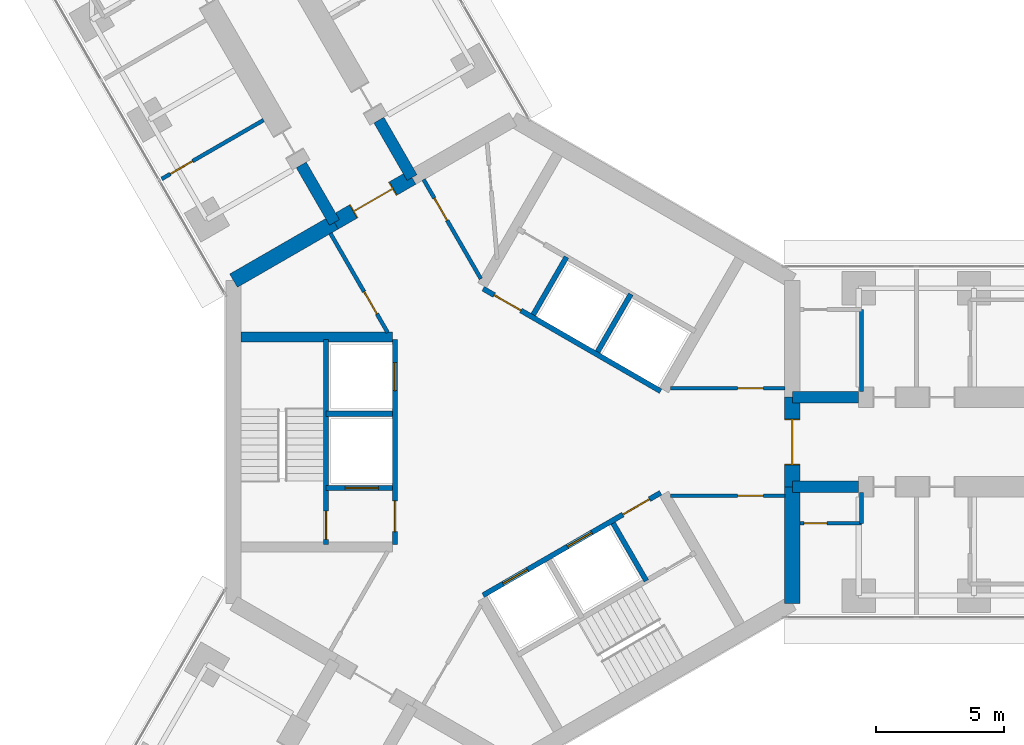
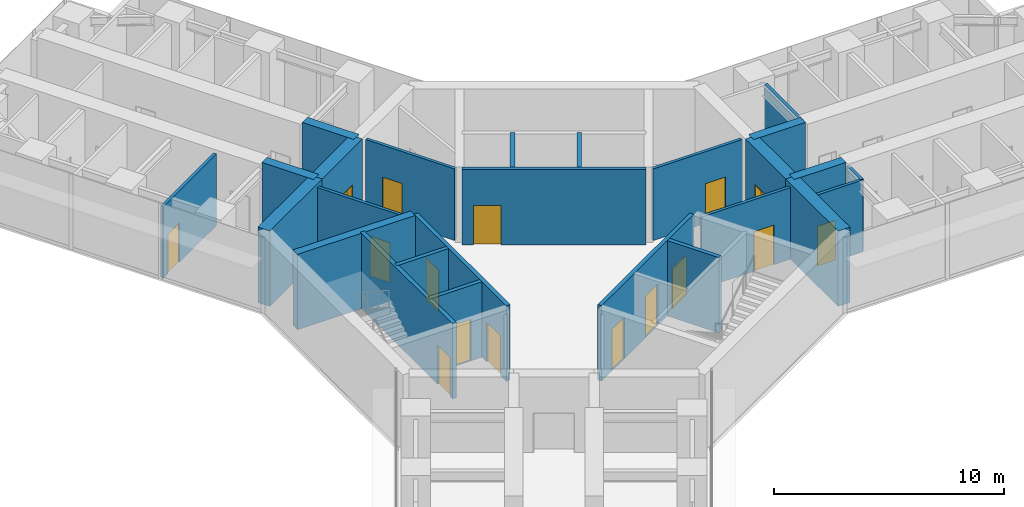
# One storey, part 16 of 22: 26 walls, 16 doors, 16 openings.
"""IFC4 building model written with IfcOpenShell, lengths in metres."""

from ifc_helpers import new_model, si_unit, direction, frame, frame_2d, origin, place, context, subcontext, project, spatial, rectangle, extrude, material, layer, layer_set, type_object, element, fill, save


model = new_model("IFC4")

# Units and contexts
model_context = context("Model", 3, precision=1e-05, world=origin(), true_north=direction((0.0, 1.0)))
body_context = subcontext(model_context, "Body", "Model", "MODEL_VIEW")
ifc_project = project(units=[si_unit("LENGTHUNIT", "METRE"), si_unit("AREAUNIT", "SQUARE_METRE"), si_unit("VOLUMEUNIT", "CUBIC_METRE"), si_unit("PLANEANGLEUNIT", "RADIAN"), si_unit("MASSUNIT", "GRAM", prefix="KILO")], contexts=[model_context])

# Site, building, storey
site_placement = place(None, origin())
site = spatial("IfcSite", under=ifc_project, at=site_placement, CompositionType="ELEMENT")
building_placement = place(site_placement, origin())
building = spatial("IfcBuilding", under=site, at=building_placement, Name="Upepo Twin Towers", CompositionType="ELEMENT")
storey_placement = place(building_placement, frame((0.0, 0.0, 141.5)))
storey = spatial("IfcBuildingStorey", under=building, at=storey_placement, Name="L34", CompositionType="ELEMENT", Elevation=141.5)

# Walls
ifc_material_1 = material(Name="Concrete C60/75", Category="concrete")
ifc_layer_1 = layer(ifc_material_1, 0.449951171875)
ifc_layer_set_1 = layer_set([ifc_layer_1], Name="Concrete C60/75")
wall_type_1 = type_object("IfcWallType", Name="Buttress wall 450 RC", PredefinedType="SHEAR", material=ifc_layer_set_1)
for number, where, z_axis, x_axis, name in (
    (1, (10.908447265625, 1.75, 0.0), (0.0, 0.0, 1.0), (1.0, 0.0, 0.0), "T1 wing A buttress wall L"),
    (2, (10.908447265625, -1.75, 0.0), (0.0, 0.0, 1.0), (1.0, 0.0, 0.0), "T1 wing A buttress wall R"),
):
    element("IfcWall", number, at=place(storey_placement, frame(where, z_axis=z_axis, x_axis=x_axis)), inside=storey, type_object=wall_type_1, Name=name, PredefinedType="SHEAR", context=body_context, shape_type="SweptSolid", body=[
        extrude(rectangle(XDim=2.591552734375, YDim=0.449951171875, at=frame_2d((1.2958984375, 0.0))), origin(), (0.0, 0.0, 1.0), 4.0),
    ])
for number, where, z_axis, x_axis, name in (
    (3, (-6.9697265625, 8.57177734375, 0.0), (0.0, 0.0, 1.0), (-0.499988811324, 0.866031863473, 0.0), "T1 wing B buttress wall L"),
    (4, (-3.938720703125, 10.32177734375, 0.0), (0.0, 0.0, 1.0), (-0.499918158782, 0.866072649678, 0.0), "T1 wing B buttress wall R"),
):
    element("IfcWall", number, at=place(storey_placement, frame(where, z_axis=z_axis, x_axis=x_axis)), inside=storey, type_object=wall_type_1, Name=name, PredefinedType="SHEAR", context=body_context, shape_type="SweptSolid", body=[
        extrude(rectangle(XDim=2.591796875, YDim=0.449951171875, at=frame_2d((1.2958984375, 0.0))), origin(), (0.0, 0.0, 1.0), 4.0),
    ])
ifc_material_2 = material(Name="Concrete C60/75", Category="concrete")
ifc_layer_2 = layer(ifc_material_2, 0.60009765625)
ifc_layer_set_2 = layer_set([ifc_layer_2], Name="Concrete C60/75")
wall_type_2 = type_object("IfcWallType", Name="Core wall 600 RC", PredefinedType="SHEAR", material=ifc_layer_set_2)
wall_1_placement = place(storey_placement, frame((10.908447265625, -6.2978515625, 0.0), z_axis=(0.0, 0.0, 1.0), x_axis=(0.0, 1.0, 0.0)))
element("IfcWall", 5, at=wall_1_placement, inside=storey, type_object=wall_type_2, Name="T1 core wall 000 R", PredefinedType="SHEAR", context=body_context, shape_type="SweptSolid", body=[
    extrude(rectangle(XDim=4.5478515625, YDim=0.60009765625, at=frame_2d((2.27392578125, 0.0))), origin(), (0.0, 0.0, 1.0), 4.0),
])

# Wall, opening, door
wall_2_placement = place(storey_placement, frame((10.908447265625, -1.75, 0.0), z_axis=(0.0, 0.0, 1.0), x_axis=(0.0, 1.0, 0.0)))
wall_2 = element("IfcWall", 6, at=wall_2_placement, inside=storey, type_object=wall_type_2, Name="T1 core wall 000", PredefinedType="SHEAR", context=body_context, shape_type="SweptSolid", body=[
    extrude(rectangle(XDim=3.5, YDim=0.60009765625, at=frame_2d((1.75, 0.0))), origin(), (0.0, 0.0, 1.0), 4.0),
])
opening_1_placement = place(wall_2_placement, frame((0.85009765625, 0.0, 0.0)))
opening_1 = element("IfcOpeningElement", 7, at=opening_1_placement, cuts=wall_2, Name="Opening D2", PredefinedType="OPENING", context=body_context, shape_type="SweptSolid", body=[
    extrude(rectangle(XDim=1.800048828125, YDim=2.10009765625, at=frame_2d((0.89990234375, 1.050048828125))), frame((0.0, 0.31005859375, 0.0), z_axis=(0.0, -1.0, 0.0), x_axis=(1.0, 0.0, 0.0)), (0.0, 0.0, 1.0), 0.6201171875),
])
ifc_material_3 = material(Name="Timber doorset", Category="wood")
door_type_1 = type_object("IfcDoorType", Name="Corridor double door 1800 FD60", OperationType="DOUBLE_DOOR_DOUBLE_SWING", PredefinedType="DOOR", material=ifc_material_3)
door_1_placement = place(opening_1_placement, origin())
door_1 = element("IfcDoor", 8, at=door_1_placement, inside=storey, type_object=door_type_1, Name="T1 L34 wing A corridor door", OperationType="DOUBLE_DOOR_DOUBLE_SWING", OverallHeight=2.10009765625, OverallWidth=1.800048828125, PredefinedType="DOOR", context=body_context, shape_type="SweptSolid", body=[
    extrude(rectangle(XDim=1.720048828125, YDim=2.06009765625, at=frame_2d((0.89990234375, 1.030029296875))), frame((0.0, 0.02490234375, 0.0), z_axis=(0.0, -1.0, 0.0), x_axis=(1.0, 0.0, 0.0)), (0.0, 0.0, 1.0), 0.050048828125),
    extrude(rectangle(XDim=0.04, YDim=2.10009765625, at=frame_2d((0.02001953125, 1.050048828125))), frame((0.0, 0.2998046875, 0.0), z_axis=(0.0, -1.0, 0.0), x_axis=(1.0, 0.0, 0.0)), (0.0, 0.0, 1.0), 0.599609375),
    extrude(rectangle(XDim=0.04, YDim=2.10009765625, at=frame_2d((1.780029296875, 1.050048828125))), frame((0.0, 0.2998046875, 0.0), z_axis=(0.0, -1.0, 0.0), x_axis=(1.0, 0.0, 0.0)), (0.0, 0.0, 1.0), 0.599609375),
    extrude(rectangle(XDim=1.720048828125, YDim=0.04, at=frame_2d((0.89990234375, 2.080078125))), frame((0.0, 0.2998046875, 0.0), z_axis=(0.0, -1.0, 0.0), x_axis=(1.0, 0.0, 0.0)), (0.0, 0.0, 1.0), 0.599609375),
])
fill(opening_1, door_1)

wall_3_placement = place(storey_placement, frame((-3.938720703125, 10.32177734375, 0.0), z_axis=(0.0, 0.0, 1.0), x_axis=(-0.866019471182, -0.500010275428, 0.0)))
wall_3 = element("IfcWall", 9, at=wall_3_placement, inside=storey, type_object=wall_type_2, Name="T1 core wall 120", PredefinedType="SHEAR", context=body_context, shape_type="SweptSolid", body=[
    extrude(rectangle(XDim=3.5, YDim=0.60009765625, at=frame_2d((1.75, 0.0))), origin(), (0.0, 0.0, 1.0), 4.0),
])
opening_2_placement = place(wall_3_placement, frame((0.85009765625, 0.0, 0.0)))
opening_2 = element("IfcOpeningElement", 10, at=opening_2_placement, cuts=wall_3, Name="Opening D2", PredefinedType="OPENING", context=body_context, shape_type="SweptSolid", body=[
    extrude(rectangle(XDim=1.800048828125, YDim=2.10009765625, at=frame_2d((0.89990234375, 1.050048828125))), frame((0.0, 0.31005859375, 0.0), z_axis=(0.0, -1.0, 0.0), x_axis=(1.0, 0.0, 0.0)), (0.0, 0.0, 1.0), 0.6201171875),
])
door_2_placement = place(opening_2_placement, origin())
door_2 = element("IfcDoor", 11, at=door_2_placement, inside=storey, type_object=door_type_1, Name="T1 L34 wing B corridor door", OperationType="DOUBLE_DOOR_DOUBLE_SWING", OverallHeight=2.10009765625, OverallWidth=1.800048828125, PredefinedType="DOOR", context=body_context, shape_type="SweptSolid", body=[
    extrude(rectangle(XDim=1.720048828125, YDim=2.06009765625, at=frame_2d((0.89990234375, 1.030029296875))), frame((0.0, 0.02490234375, 0.0), z_axis=(0.0, -1.0, 0.0), x_axis=(1.0, 0.0, 0.0)), (0.0, 0.0, 1.0), 0.050048828125),
    extrude(rectangle(XDim=0.04, YDim=2.10009765625, at=frame_2d((0.02001953125, 1.050048828125))), frame((0.0, 0.2998046875, 0.0), z_axis=(0.0, -1.0, 0.0), x_axis=(1.0, 0.0, 0.0)), (0.0, 0.0, 1.0), 0.599609375),
    extrude(rectangle(XDim=0.04, YDim=2.10009765625, at=frame_2d((1.780029296875, 1.050048828125))), frame((0.0, 0.2998046875, 0.0), z_axis=(0.0, -1.0, 0.0), x_axis=(1.0, 0.0, 0.0)), (0.0, 0.0, 1.0), 0.599609375),
    extrude(rectangle(XDim=1.720048828125, YDim=0.04, at=frame_2d((0.89990234375, 2.080078125))), frame((0.0, 0.2998046875, 0.0), z_axis=(0.0, -1.0, 0.0), x_axis=(1.0, 0.0, 0.0)), (0.0, 0.0, 1.0), 0.599609375),
])
fill(opening_2, door_2)

# Wall
wall_4_placement = place(storey_placement, frame((-6.9697265625, 8.57177734375, 0.0), z_axis=(0.0, 0.0, 1.0), x_axis=(-0.866034513004, -0.499984222037, 0.0)))
element("IfcWall", 12, at=wall_4_placement, inside=storey, type_object=wall_type_2, Name="T1 core wall 120 L", PredefinedType="SHEAR", context=body_context, shape_type="SweptSolid", body=[
    extrude(rectangle(XDim=4.548095703125, YDim=0.60009765625, at=frame_2d((2.27392578125, 0.0))), origin(), (0.0, 0.0, 1.0), 4.0),
])

# Wall, opening, door
ifc_material_4 = material(Name="Concrete C40/50", Category="concrete")
ifc_layer_3 = layer(ifc_material_4, 0.199951171875)
ifc_layer_set_3 = layer_set([ifc_layer_3], Name="Concrete C40/50")
wall_type_3 = type_object("IfcWallType", Name="Shaft wall 200 RC", PredefinedType="SHEAR", material=ifc_layer_set_3)
wall_5_placement = place(storey_placement, frame((5.76416015625, 1.983642578125, 0.0), z_axis=(0.0, 0.0, 1.0), x_axis=(-0.866026010844, 0.49999894854, 0.0)))
wall_5 = element("IfcWall", 13, at=wall_5_placement, inside=storey, type_object=wall_type_3, Name="T1 core W60 front wall", PredefinedType="SHEAR", context=body_context, shape_type="SweptSolid", body=[
    extrude(rectangle(XDim=8.0, YDim=0.199951171875, at=frame_2d((4.0, 0.0))), origin(), (0.0, 0.0, 1.0), 4.0),
])
opening_3_placement = place(wall_5_placement, frame((6.300048828125, 0.0, 0.0)))
opening_3 = element("IfcOpeningElement", 14, at=opening_3_placement, cuts=wall_5, Name="Opening D4", PredefinedType="OPENING", context=body_context, shape_type="SweptSolid", body=[
    extrude(rectangle(XDim=1.199951171875, YDim=2.10009765625, at=frame_2d((0.60009765625, 1.050048828125))), frame((0.0, 0.10986328125, 0.0), z_axis=(0.0, -1.0, 0.0), x_axis=(1.0, 0.0, 0.0)), (0.0, 0.0, 1.0), 0.219970703125),
])
ifc_material_5 = material(Name="Timber doorset", Category="wood")
door_type_2 = type_object("IfcDoorType", Name="Lobby door 1200 FD60", OperationType="SINGLE_SWING_LEFT", PredefinedType="DOOR", material=ifc_material_5)
door_3_placement = place(opening_3_placement, origin())
door_3 = element("IfcDoor", 15, at=door_3_placement, inside=storey, type_object=door_type_2, Name="T1 L34 W60 lobby door", OperationType="SINGLE_SWING_RIGHT", OverallHeight=2.10009765625, OverallWidth=1.199951171875, PredefinedType="DOOR", context=body_context, shape_type="SweptSolid", body=[
    extrude(rectangle(XDim=1.199951171875, YDim=2.10009765625, at=frame_2d((0.60009765625, 1.050048828125))), frame((0.0, 0.02490234375, 0.0), z_axis=(0.0, -1.0, 0.0), x_axis=(1.0, 0.0, 0.0)), (0.0, 0.0, 1.0), 0.050048828125),
])
fill(opening_3, door_3)

# Walls
for number, where, z_axis, x_axis, name in (
    (16, (3.302734375, 3.520263671875, 0.0), (0.0, 0.0, 1.0), (0.499936506574, 0.866062058628, 0.0), "T1 core W60 shaft divider"),
    (17, (0.791259765625, 4.97021484375, 0.0), (0.0, 0.0, 1.0), (0.499936506574, 0.866062058628, 0.0), "T1 core W60 lobby wall"),
):
    element("IfcWall", number, at=place(storey_placement, frame(where, z_axis=z_axis, x_axis=x_axis)), inside=storey, type_object=wall_type_3, Name=name, PredefinedType="SHEAR", context=body_context, shape_type="SweptSolid", body=[
        extrude(rectangle(XDim=2.599853515625, YDim=0.199951171875, at=frame_2d((1.2998046875, 0.0))), origin(), (0.0, 0.0, 1.0), 4.0),
    ])

# Wall, openings, doors
wall_6_placement = place(storey_placement, frame((-4.60009765625, 4.0, 0.0), z_axis=(0.0, 0.0, 1.0), x_axis=(0.0, -1.0, 0.0)))
wall_6 = element("IfcWall", 18, at=wall_6_placement, inside=storey, type_object=wall_type_3, Name="T1 core W180 front wall", PredefinedType="SHEAR", context=body_context, shape_type="SweptSolid", body=[
    extrude(rectangle(XDim=8.0, YDim=0.199951171875, at=frame_2d((4.0, 0.0))), origin(), (0.0, 0.0, 1.0), 4.0),
])
opening_4_placement = place(wall_6_placement, frame((6.300048828125, 0.0, 0.0)))
opening_4 = element("IfcOpeningElement", 19, at=opening_4_placement, cuts=wall_6, Name="Opening D4", PredefinedType="OPENING", context=body_context, shape_type="SweptSolid", body=[
    extrude(rectangle(XDim=1.199951171875, YDim=2.10009765625, at=frame_2d((0.60009765625, 1.050048828125))), frame((0.0, 0.10986328125, 0.0), z_axis=(0.0, -1.0, 0.0), x_axis=(1.0, 0.0, 0.0)), (0.0, 0.0, 1.0), 0.219970703125),
])
opening_5_placement = place(wall_6_placement, frame((0.89990234375, 0.0, 0.0)))
opening_5 = element("IfcOpeningElement", 20, at=opening_5_placement, cuts=wall_6, Name="Opening LD1", PredefinedType="OPENING", context=body_context, shape_type="SweptSolid", body=[
    extrude(rectangle(XDim=1.10009765625, YDim=2.199951171875, at=frame_2d((0.550048828125, 1.10009765625))), frame((0.0, 0.10986328125, 0.0), z_axis=(0.0, -1.0, 0.0), x_axis=(1.0, 0.0, 0.0)), (0.0, 0.0, 1.0), 0.219970703125),
])
ifc_material_6 = material(Name="Steel doorset", Category="steel")
door_type_3 = type_object("IfcDoorType", Name="Lift landing door 1100", OperationType="DOUBLE_DOOR_SLIDING", PredefinedType="DOOR", material=ifc_material_6)
door_4_placement = place(opening_5_placement, origin())
door_4 = element("IfcDoor", 21, at=door_4_placement, inside=storey, type_object=door_type_3, Name="T1 L34 lift SV1 landing door", OperationType="DOUBLE_DOOR_SLIDING", OverallHeight=2.199951171875, OverallWidth=1.10009765625, PredefinedType="DOOR", context=body_context, shape_type="SweptSolid", body=[
    extrude(rectangle(XDim=1.10009765625, YDim=2.199951171875, at=frame_2d((0.550048828125, 1.10009765625))), frame((0.0, 0.02490234375, 0.0), z_axis=(0.0, -1.0, 0.0), x_axis=(1.0, 0.0, 0.0)), (0.0, 0.0, 1.0), 0.050048828125),
])
fill(opening_5, door_4)
door_5_placement = place(opening_4_placement, origin())
door_5 = element("IfcDoor", 22, at=door_5_placement, inside=storey, type_object=door_type_2, Name="T1 L34 W180 lobby door", OperationType="SINGLE_SWING_RIGHT", OverallHeight=2.10009765625, OverallWidth=1.199951171875, PredefinedType="DOOR", context=body_context, shape_type="SweptSolid", body=[
    extrude(rectangle(XDim=1.199951171875, YDim=2.10009765625, at=frame_2d((0.60009765625, 1.050048828125))), frame((0.0, 0.02490234375, 0.0), z_axis=(0.0, -1.0, 0.0), x_axis=(1.0, 0.0, 0.0)), (0.0, 0.0, 1.0), 0.050048828125),
])
fill(opening_4, door_5)

# Wall
wall_7_placement = place(storey_placement, frame((-4.699951171875, 1.10009765625, 0.0), z_axis=(0.0, 0.0, 1.0), x_axis=(-1.0, 0.0, 0.0)))
element("IfcWall", 23, at=wall_7_placement, inside=storey, type_object=wall_type_3, Name="T1 core W180 shaft divider", PredefinedType="SHEAR", context=body_context, shape_type="SweptSolid", body=[
    extrude(rectangle(XDim=2.60009765625, YDim=0.199951171875, at=frame_2d((1.300048828125, 0.0))), origin(), (0.0, 0.0, 1.0), 4.0),
])

# Wall, opening, door
wall_8_placement = place(storey_placement, frame((-4.699951171875, -1.800048828125, 0.0), z_axis=(0.0, 0.0, 1.0), x_axis=(-1.0, 0.0, 0.0)))
wall_8 = element("IfcWall", 24, at=wall_8_placement, inside=storey, type_object=wall_type_3, Name="T1 core W180 lobby wall", PredefinedType="SHEAR", context=body_context, shape_type="SweptSolid", body=[
    extrude(rectangle(XDim=2.60009765625, YDim=0.199951171875, at=frame_2d((1.300048828125, 0.0))), origin(), (0.0, 0.0, 1.0), 4.0),
])
opening_6_placement = place(wall_8_placement, frame((0.550048828125, 0.0, 0.0)))
opening_6 = element("IfcOpeningElement", 25, at=opening_6_placement, cuts=wall_8, Name="Opening LD2", PredefinedType="OPENING", context=body_context, shape_type="SweptSolid", body=[
    extrude(rectangle(XDim=1.300048828125, YDim=2.199951171875, at=frame_2d((0.64990234375, 1.10009765625))), frame((0.0, 0.10986328125, 0.0), z_axis=(0.0, -1.0, 0.0), x_axis=(1.0, 0.0, 0.0)), (0.0, 0.0, 1.0), 0.219970703125),
])
ifc_material_7 = material(Name="Steel doorset", Category="steel")
door_type_4 = type_object("IfcDoorType", Name="Firefighting lift landing door 1300", OperationType="DOUBLE_DOOR_SLIDING", PredefinedType="DOOR", material=ifc_material_7)
door_6_placement = place(opening_6_placement, origin())
door_6 = element("IfcDoor", 26, at=door_6_placement, inside=storey, type_object=door_type_4, Name="T1 L34 firefighting lift landing door", OperationType="DOUBLE_DOOR_SLIDING", OverallHeight=2.199951171875, OverallWidth=1.300048828125, PredefinedType="DOOR", context=body_context, shape_type="SweptSolid", body=[
    extrude(rectangle(XDim=1.300048828125, YDim=2.199951171875, at=frame_2d((0.64990234375, 1.10009765625))), frame((0.0, 0.02490234375, 0.0), z_axis=(0.0, -1.0, 0.0), x_axis=(1.0, 0.0, 0.0)), (0.0, 0.0, 1.0), 0.050048828125),
])
fill(opening_6, door_6)

wall_9_placement = place(storey_placement, frame((-7.300048828125, 4.0, 0.0), z_axis=(0.0, 0.0, 1.0), x_axis=(0.0, -1.0, 0.0)))
wall_9 = element("IfcWall", 27, at=wall_9_placement, inside=storey, type_object=wall_type_3, Name="T1 core W180 stair wall", PredefinedType="SHEAR", context=body_context, shape_type="SweptSolid", body=[
    extrude(rectangle(XDim=8.0, YDim=0.199951171875, at=frame_2d((4.0, 0.0))), origin(), (0.0, 0.0, 1.0), 4.0),
])
opening_7_placement = place(wall_9_placement, frame((6.699951171875, 0.0, 0.0)))
opening_7 = element("IfcOpeningElement", 28, at=opening_7_placement, cuts=wall_9, Name="Opening D3", PredefinedType="OPENING", context=body_context, shape_type="SweptSolid", body=[
    extrude(rectangle(XDim=1.10009765625, YDim=2.10009765625, at=frame_2d((0.550048828125, 1.050048828125))), frame((0.0, 0.10986328125, 0.0), z_axis=(0.0, -1.0, 0.0), x_axis=(1.0, 0.0, 0.0)), (0.0, 0.0, 1.0), 0.219970703125),
])
ifc_material_8 = material(Name="Timber doorset", Category="wood")
door_type_5 = type_object("IfcDoorType", Name="Stair door 1100 FD60", OperationType="SINGLE_SWING_LEFT", PredefinedType="DOOR", material=ifc_material_8)
door_7_placement = place(opening_7_placement, origin())
door_7 = element("IfcDoor", 29, at=door_7_placement, inside=storey, type_object=door_type_5, Name="T1 L34 stair door", OperationType="SINGLE_SWING_RIGHT", OverallHeight=2.10009765625, OverallWidth=1.10009765625, PredefinedType="DOOR", context=body_context, shape_type="SweptSolid", body=[
    extrude(rectangle(XDim=1.10009765625, YDim=2.10009765625, at=frame_2d((0.550048828125, 1.050048828125))), frame((0.0, 0.02490234375, 0.0), z_axis=(0.0, -1.0, 0.0), x_axis=(1.0, 0.0, 0.0)), (0.0, 0.0, 1.0), 0.050048828125),
])
fill(opening_7, door_7)

# Wall, openings, doors
wall_10_placement = place(storey_placement, frame((-1.1640625, -5.983642578125, 0.0), z_axis=(0.0, 0.0, 1.0), x_axis=(0.866026010844, 0.49999894854, 0.0)))
wall_10 = element("IfcWall", 30, at=wall_10_placement, inside=storey, type_object=wall_type_3, Name="T1 core W300 front wall", PredefinedType="SHEAR", context=body_context, shape_type="SweptSolid", body=[
    extrude(rectangle(XDim=8.0, YDim=0.199951171875, at=frame_2d((4.0, 0.0))), origin(), (0.0, 0.0, 1.0), 4.0),
])
opening_8_placement = place(wall_10_placement, frame((6.300048828125, 0.0, 0.0)))
opening_8 = element("IfcOpeningElement", 31, at=opening_8_placement, cuts=wall_10, Name="Opening D4", PredefinedType="OPENING", context=body_context, shape_type="SweptSolid", body=[
    extrude(rectangle(XDim=1.199951171875, YDim=2.10009765625, at=frame_2d((0.60009765625, 1.050048828125))), frame((0.0, 0.10986328125, 0.0), z_axis=(0.0, -1.0, 0.0), x_axis=(1.0, 0.0, 0.0)), (0.0, 0.0, 1.0), 0.219970703125),
])
opening_9_placement = place(wall_10_placement, frame((0.89990234375, 0.0, 0.0)))
opening_9 = element("IfcOpeningElement", 32, at=opening_9_placement, cuts=wall_10, Name="Opening LD1", PredefinedType="OPENING", context=body_context, shape_type="SweptSolid", body=[
    extrude(rectangle(XDim=1.10009765625, YDim=2.199951171875, at=frame_2d((0.550048828125, 1.10009765625))), frame((0.0, 0.10986328125, 0.0), z_axis=(0.0, -1.0, 0.0), x_axis=(1.0, 0.0, 0.0)), (0.0, 0.0, 1.0), 0.219970703125),
])
opening_10_placement = place(wall_10_placement, frame((3.800048828125, 0.0, 0.0)))
opening_10 = element("IfcOpeningElement", 33, at=opening_10_placement, cuts=wall_10, Name="Opening LD1", PredefinedType="OPENING", context=body_context, shape_type="SweptSolid", body=[
    extrude(rectangle(XDim=1.10009765625, YDim=2.199951171875, at=frame_2d((0.550048828125, 1.10009765625))), frame((0.0, 0.10986328125, 0.0), z_axis=(0.0, -1.0, 0.0), x_axis=(1.0, 0.0, 0.0)), (0.0, 0.0, 1.0), 0.219970703125),
])
door_8_placement = place(opening_9_placement, origin())
door_8 = element("IfcDoor", 34, at=door_8_placement, inside=storey, type_object=door_type_3, Name="T1 L34 lift ML1 landing door", OperationType="DOUBLE_DOOR_SLIDING", OverallHeight=2.199951171875, OverallWidth=1.10009765625, PredefinedType="DOOR", context=body_context, shape_type="SweptSolid", body=[
    extrude(rectangle(XDim=1.10009765625, YDim=2.199951171875, at=frame_2d((0.550048828125, 1.10009765625))), frame((0.0, 0.02490234375, 0.0), z_axis=(0.0, -1.0, 0.0), x_axis=(1.0, 0.0, 0.0)), (0.0, 0.0, 1.0), 0.050048828125),
])
fill(opening_9, door_8)
door_9_placement = place(opening_10_placement, origin())
door_9 = element("IfcDoor", 35, at=door_9_placement, inside=storey, type_object=door_type_3, Name="T1 L34 lift ML2 landing door", OperationType="DOUBLE_DOOR_SLIDING", OverallHeight=2.199951171875, OverallWidth=1.10009765625, PredefinedType="DOOR", context=body_context, shape_type="SweptSolid", body=[
    extrude(rectangle(XDim=1.10009765625, YDim=2.199951171875, at=frame_2d((0.550048828125, 1.10009765625))), frame((0.0, 0.02490234375, 0.0), z_axis=(0.0, -1.0, 0.0), x_axis=(1.0, 0.0, 0.0)), (0.0, 0.0, 1.0), 0.050048828125),
])
fill(opening_10, door_9)
door_10_placement = place(opening_8_placement, origin())
door_10 = element("IfcDoor", 36, at=door_10_placement, inside=storey, type_object=door_type_2, Name="T1 L34 W300 lobby door", OperationType="SINGLE_SWING_RIGHT", OverallHeight=2.10009765625, OverallWidth=1.199951171875, PredefinedType="DOOR", context=body_context, shape_type="SweptSolid", body=[
    extrude(rectangle(XDim=1.199951171875, YDim=2.10009765625, at=frame_2d((0.60009765625, 1.050048828125))), frame((0.0, 0.02490234375, 0.0), z_axis=(0.0, -1.0, 0.0), x_axis=(1.0, 0.0, 0.0)), (0.0, 0.0, 1.0), 0.050048828125),
])
fill(opening_8, door_10)

# Walls
wall_11_placement = place(storey_placement, frame((3.908935546875, -3.17041015625, 0.0), z_axis=(0.0, 0.0, 1.0), x_axis=(0.49997716683, -0.86603858612, 0.0)))
element("IfcWall", 37, at=wall_11_placement, inside=storey, type_object=wall_type_3, Name="T1 core W300 lobby wall", PredefinedType="SHEAR", context=body_context, shape_type="SweptSolid", body=[
    extrude(rectangle(XDim=2.599609375, YDim=0.199951171875, at=frame_2d((1.2998046875, 0.0))), origin(), (0.0, 0.0, 1.0), 4.0),
])
ifc_material_9 = material(Name="Concrete C40/50", Category="concrete")
ifc_layer_4 = layer(ifc_material_9, 0.39990234375)
ifc_layer_set_4 = layer_set([ifc_layer_4], Name="Concrete C40/50")
wall_type_4 = type_object("IfcWallType", Name="Shaft wall 400 RC", PredefinedType="SHEAR", material=ifc_layer_set_4)
wall_12_placement = place(storey_placement, frame((-4.699951171875, 4.10009765625, 0.0), z_axis=(0.0, 0.0, 1.0), x_axis=(-1.0, 0.0, 0.0)))
element("IfcWall", 38, at=wall_12_placement, inside=storey, type_object=wall_type_4, Name="T1 core W180 side wall S", PredefinedType="SHEAR", context=body_context, shape_type="SweptSolid", body=[
    extrude(rectangle(XDim=5.908447265625, YDim=0.39990234375, at=frame_2d((2.9541015625, 0.0))), origin(), (0.0, 0.0, 1.0), 4.0),
])
ifc_material_10 = material(Name="Gypsum board on steel studs", Category="steel")
ifc_layer_5 = layer(ifc_material_10, 0.14990234375)
ifc_layer_set_5 = layer_set([ifc_layer_5], Name="Teaching partition 150 acoustic")
wall_type_5 = type_object("IfcWallType", Name="Teaching partition 150 acoustic", PredefinedType="PARTITIONING", material=ifc_layer_set_5)
wall_13_placement = place(storey_placement, frame((13.60791015625, 1.97509765625, 0.0), z_axis=(0.0, 0.0, 1.0), x_axis=(0.0, 1.0, 0.0)))
element("IfcWall", 39, at=wall_13_placement, inside=storey, type_object=wall_type_5, Name="T1 WC bay partition AL end at 13.61", PredefinedType="PARTITIONING", context=body_context, shape_type="SweptSolid", body=[
    extrude(rectangle(XDim=3.199951171875, YDim=0.14990234375, at=frame_2d((1.60009765625, 0.0))), origin(), (0.0, 0.0, 1.0), 3.800048828125),
])

# Wall, opening, door
wall_14_placement = place(storey_placement, frame((11.2080078125, -3.175048828125, 0.0), z_axis=(0.0, 0.0, 1.0), x_axis=(1.0, 0.0, 0.0)))
wall_14 = element("IfcWall", 40, at=wall_14_placement, inside=storey, type_object=wall_type_5, Name="T1 WC bay partition AR at 11.21", PredefinedType="PARTITIONING", context=body_context, shape_type="SweptSolid", body=[
    extrude(rectangle(XDim=2.39990234375, YDim=0.14990234375, at=frame_2d((1.199951171875, 0.0))), origin(), (0.0, 0.0, 1.0), 3.800048828125),
])
opening_11_placement = place(wall_14_placement, frame((0.14990234375, 0.0, 0.0)))
opening_11 = element("IfcOpeningElement", 41, at=opening_11_placement, cuts=wall_14, Name="Opening D14", PredefinedType="OPENING", context=body_context, shape_type="SweptSolid", body=[
    extrude(rectangle(XDim=0.89990234375, YDim=2.10009765625, at=frame_2d((0.449951171875, 1.050048828125))), frame((0.0, 0.0849609375, 0.0), z_axis=(0.0, -1.0, 0.0), x_axis=(1.0, 0.0, 0.0)), (0.0, 0.0, 1.0), 0.169921875),
])
ifc_material_11 = material(Name="Timber doorset", Category="wood")
door_type_6 = type_object("IfcDoorType", Name="Office door 900 FD30", OperationType="SINGLE_SWING_LEFT", PredefinedType="DOOR", material=ifc_material_11)
door_11_placement = place(opening_11_placement, origin())
door_11 = element("IfcDoor", 42, at=door_11_placement, inside=storey, type_object=door_type_6, Name="T1 L34 WC bay inner room door", OperationType="SINGLE_SWING_LEFT", OverallHeight=2.10009765625, OverallWidth=0.89990234375, PredefinedType="DOOR", context=body_context, shape_type="SweptSolid", body=[
    extrude(rectangle(XDim=0.89990234375, YDim=2.10009765625, at=frame_2d((0.449951171875, 1.050048828125))), frame((0.0, 0.02490234375, 0.0), z_axis=(0.0, -1.0, 0.0), x_axis=(1.0, 0.0, 0.0)), (0.0, 0.0, 1.0), 0.050048828125),
])
fill(opening_11, door_11)

# Wall
wall_15_placement = place(storey_placement, frame((13.60791015625, -1.97509765625, 0.0), z_axis=(0.0, 0.0, 1.0), x_axis=(0.0, -1.0, 0.0)))
element("IfcWall", 43, at=wall_15_placement, inside=storey, type_object=wall_type_5, Name="T1 WC bay partition AR end at 13.61", PredefinedType="PARTITIONING", context=body_context, shape_type="SweptSolid", body=[
    extrude(rectangle(XDim=1.199951171875, YDim=0.14990234375, at=frame_2d((0.60009765625, 0.0))), origin(), (0.0, 0.0, 1.0), 3.800048828125),
])

# Wall, opening, door
wall_16_placement = place(storey_placement, frame((-9.737060546875, 12.56494140625, 0.0), z_axis=(0.0, 0.0, 1.0), x_axis=(-0.866016770315, -0.500014953309, 0.0)))
wall_16 = element("IfcWall", 44, at=wall_16_placement, inside=storey, type_object=wall_type_5, Name="T1 partition BL at 15.75", PredefinedType="PARTITIONING", context=body_context, shape_type="SweptSolid", body=[
    extrude(rectangle(XDim=4.599853515625, YDim=0.14990234375, at=frame_2d((2.2998046875, 0.0))), origin(), (0.0, 0.0, 1.0), 3.800048828125),
])
opening_12_placement = place(wall_16_placement, frame((3.199951171875, 0.0, 0.0)))
opening_12 = element("IfcOpeningElement", 45, at=opening_12_placement, cuts=wall_16, Name="Opening D1", PredefinedType="OPENING", context=body_context, shape_type="SweptSolid", body=[
    extrude(rectangle(XDim=1.0, YDim=2.10009765625, at=frame_2d((0.5, 1.050048828125))), frame((0.0, 0.0849609375, 0.0), z_axis=(0.0, -1.0, 0.0), x_axis=(1.0, 0.0, 0.0)), (0.0, 0.0, 1.0), 0.169921875),
])
ifc_material_12 = material(Name="Timber doorset", Category="wood")
door_type_7 = type_object("IfcDoorType", Name="Room door 1000 FD30", OperationType="SINGLE_SWING_LEFT", PredefinedType="DOOR", material=ifc_material_12)
door_12_placement = place(opening_12_placement, origin())
door_12 = element("IfcDoor", 46, at=door_12_placement, inside=storey, type_object=door_type_7, Name="T1 L34 connecting door", OperationType="SINGLE_SWING_RIGHT", OverallHeight=2.10009765625, OverallWidth=1.0, PredefinedType="DOOR", context=body_context, shape_type="SweptSolid", body=[
    extrude(rectangle(XDim=1.0, YDim=2.10009765625, at=frame_2d((0.5, 1.050048828125))), frame((0.0, 0.02490234375, 0.0), z_axis=(0.0, -1.0, 0.0), x_axis=(1.0, 0.0, 0.0)), (0.0, 0.0, 1.0), 0.050048828125),
])
fill(opening_12, door_12)

wall_17_placement = place(storey_placement, frame((-4.889892578125, 4.269775390625, 0.0), z_axis=(0.0, 0.0, 1.0), x_axis=(-0.499999473313, 0.866025707867, 0.0)))
wall_17 = element("IfcWall", 47, at=wall_17_placement, inside=storey, type_object=wall_type_5, Name="T1 core room partition 3", PredefinedType="PARTITIONING", context=body_context, shape_type="SweptSolid", body=[
    extrude(rectangle(XDim=4.4755859375, YDim=0.14990234375, at=frame_2d((2.23779296875, 0.0))), origin(), (0.0, 0.0, 1.0), 3.800048828125),
])
opening_13_placement = place(wall_17_placement, frame((0.8427734375, 0.0, 0.0)))
opening_13 = element("IfcOpeningElement", 48, at=opening_13_placement, cuts=wall_17, Name="Opening D1", PredefinedType="OPENING", context=body_context, shape_type="SweptSolid", body=[
    extrude(rectangle(XDim=1.0, YDim=2.10009765625, at=frame_2d((0.5, 1.050048828125))), frame((0.0, 0.0849609375, 0.0), z_axis=(0.0, -1.0, 0.0), x_axis=(1.0, 0.0, 0.0)), (0.0, 0.0, 1.0), 0.169921875),
])
door_13_placement = place(opening_13_placement, origin())
door_13 = element("IfcDoor", 49, at=door_13_placement, inside=storey, type_object=door_type_7, Name="T1 L34 core room door K7", OperationType="SINGLE_SWING_LEFT", OverallHeight=2.10009765625, OverallWidth=1.0, PredefinedType="DOOR", context=body_context, shape_type="SweptSolid", body=[
    extrude(rectangle(XDim=1.0, YDim=2.10009765625, at=frame_2d((0.5, 1.050048828125))), frame((0.0, 0.02490234375, 0.0), z_axis=(0.0, -1.0, 0.0), x_axis=(1.0, 0.0, 0.0)), (0.0, 0.0, 1.0), 0.050048828125),
])
fill(opening_13, door_13)

wall_18_placement = place(storey_placement, frame((-3.490478515625, 10.24560546875, 0.0), z_axis=(0.0, 0.0, 1.0), x_axis=(0.499999473313, -0.866025707867, 0.0)))
wall_18 = element("IfcWall", 50, at=wall_18_placement, inside=storey, type_object=wall_type_5, Name="T1 core room partition 4", PredefinedType="PARTITIONING", context=body_context, shape_type="SweptSolid", body=[
    extrude(rectangle(XDim=4.4755859375, YDim=0.14990234375, at=frame_2d((2.23779296875, 0.0))), origin(), (0.0, 0.0, 1.0), 3.800048828125),
])
opening_14_placement = place(wall_18_placement, frame((0.8427734375, 0.0, 0.0)))
opening_14 = element("IfcOpeningElement", 51, at=opening_14_placement, cuts=wall_18, Name="Opening D1", PredefinedType="OPENING", context=body_context, shape_type="SweptSolid", body=[
    extrude(rectangle(XDim=1.0, YDim=2.10009765625, at=frame_2d((0.5, 1.050048828125))), frame((0.0, 0.0849609375, 0.0), z_axis=(0.0, -1.0, 0.0), x_axis=(1.0, 0.0, 0.0)), (0.0, 0.0, 1.0), 0.169921875),
])
door_14_placement = place(opening_14_placement, origin())
door_14 = element("IfcDoor", 52, at=door_14_placement, inside=storey, type_object=door_type_7, Name="T1 L34 core room door K5", OperationType="SINGLE_SWING_LEFT", OverallHeight=2.10009765625, OverallWidth=1.0, PredefinedType="DOOR", context=body_context, shape_type="SweptSolid", body=[
    extrude(rectangle(XDim=1.0, YDim=2.10009765625, at=frame_2d((0.5, 1.050048828125))), frame((0.0, 0.02490234375, 0.0), z_axis=(0.0, -1.0, 0.0), x_axis=(1.0, 0.0, 0.0)), (0.0, 0.0, 1.0), 0.050048828125),
])
fill(opening_14, door_14)

wall_19_placement = place(storey_placement, frame((6.142578125, 2.10009765625, 0.0), z_axis=(0.0, 0.0, 1.0), x_axis=(1.0, 0.0, 0.0)))
wall_19 = element("IfcWall", 53, at=wall_19_placement, inside=storey, type_object=wall_type_5, Name="T1 core room partition 5", PredefinedType="PARTITIONING", context=body_context, shape_type="SweptSolid", body=[
    extrude(rectangle(XDim=4.475830078125, YDim=0.14990234375, at=frame_2d((2.23779296875, 0.0))), origin(), (0.0, 0.0, 1.0), 3.800048828125),
])
opening_15_placement = place(wall_19_placement, frame((2.6328125, 0.0, 0.0)))
opening_15 = element("IfcOpeningElement", 54, at=opening_15_placement, cuts=wall_19, Name="Opening D1", PredefinedType="OPENING", context=body_context, shape_type="SweptSolid", body=[
    extrude(rectangle(XDim=1.0, YDim=2.10009765625, at=frame_2d((0.5, 1.050048828125))), frame((0.0, 0.0849609375, 0.0), z_axis=(0.0, -1.0, 0.0), x_axis=(1.0, 0.0, 0.0)), (0.0, 0.0, 1.0), 0.169921875),
])
door_15_placement = place(opening_15_placement, origin())
door_15 = element("IfcDoor", 55, at=door_15_placement, inside=storey, type_object=door_type_7, Name="T1 L34 core room door K4", OperationType="SINGLE_SWING_RIGHT", OverallHeight=2.10009765625, OverallWidth=1.0, PredefinedType="DOOR", context=body_context, shape_type="SweptSolid", body=[
    extrude(rectangle(XDim=1.0, YDim=2.10009765625, at=frame_2d((0.5, 1.050048828125))), frame((0.0, 0.02490234375, 0.0), z_axis=(0.0, -1.0, 0.0), x_axis=(1.0, 0.0, 0.0)), (0.0, 0.0, 1.0), 0.050048828125),
])
fill(opening_15, door_15)

wall_20_placement = place(storey_placement, frame((10.618408203125, -2.10009765625, 0.0), z_axis=(0.0, 0.0, 1.0), x_axis=(-1.0, 0.0, 0.0)))
wall_20 = element("IfcWall", 56, at=wall_20_placement, inside=storey, type_object=wall_type_5, Name="T1 core room partition 6", PredefinedType="PARTITIONING", context=body_context, shape_type="SweptSolid", body=[
    extrude(rectangle(XDim=4.475830078125, YDim=0.14990234375, at=frame_2d((2.23779296875, 0.0))), origin(), (0.0, 0.0, 1.0), 3.800048828125),
])
opening_16_placement = place(wall_20_placement, frame((0.8427734375, 0.0, 0.0)))
opening_16 = element("IfcOpeningElement", 57, at=opening_16_placement, cuts=wall_20, Name="Opening D1", PredefinedType="OPENING", context=body_context, shape_type="SweptSolid", body=[
    extrude(rectangle(XDim=1.0, YDim=2.10009765625, at=frame_2d((0.5, 1.050048828125))), frame((0.0, 0.0849609375, 0.0), z_axis=(0.0, -1.0, 0.0), x_axis=(1.0, 0.0, 0.0)), (0.0, 0.0, 1.0), 0.169921875),
])
door_16_placement = place(opening_16_placement, origin())
door_16 = element("IfcDoor", 58, at=door_16_placement, inside=storey, type_object=door_type_7, Name="T1 L34 core room door K3", OperationType="SINGLE_SWING_LEFT", OverallHeight=2.10009765625, OverallWidth=1.0, PredefinedType="DOOR", context=body_context, shape_type="SweptSolid", body=[
    extrude(rectangle(XDim=1.0, YDim=2.10009765625, at=frame_2d((0.5, 1.050048828125))), frame((0.0, 0.02490234375, 0.0), z_axis=(0.0, -1.0, 0.0), x_axis=(1.0, 0.0, 0.0)), (0.0, 0.0, 1.0), 0.050048828125),
])
fill(opening_16, door_16)

save(model, "model.ifc")
